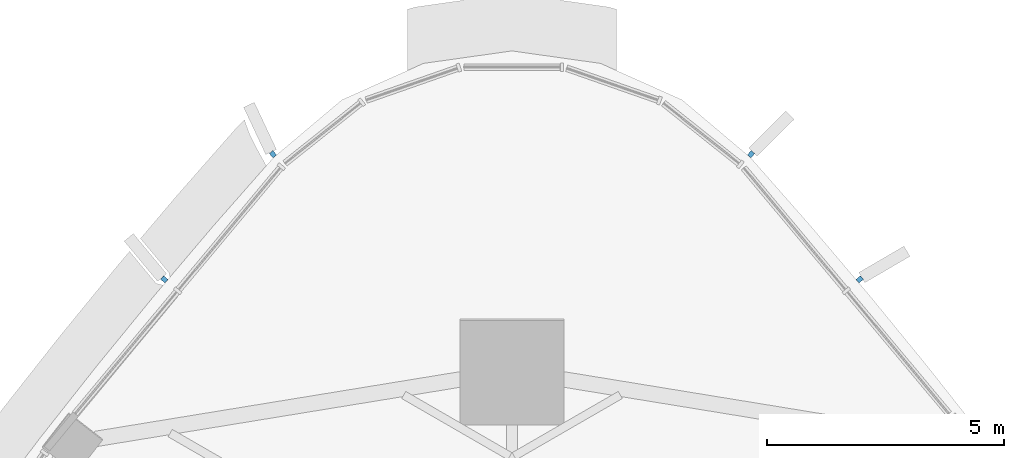
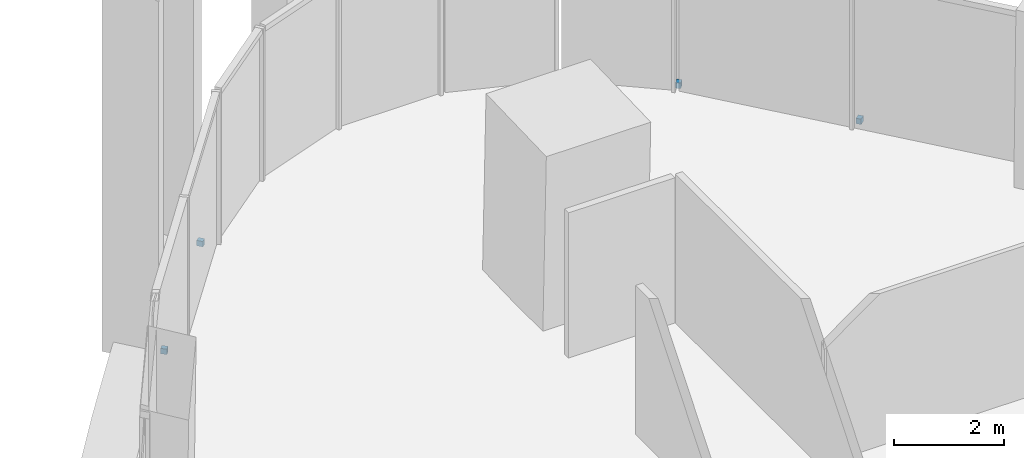
# One storey, part 15 of 19: 4 discrete accessories.
"""IFC4 building model written with IfcOpenShell, lengths in metres."""

from ifc_helpers import new_model, si_unit, direction, frame, origin, origin_2d, place, context, subcontext, project, spatial, rectangle, extrude, material, type_object, element, save


model = new_model("IFC4")

# Units and contexts
model_context = context("Model", 3, precision=1e-05, world=origin(), true_north=direction((0.0, 1.0)))
body_context = subcontext(model_context, "Body", "Model", "MODEL_VIEW")
ifc_project = project(units=[si_unit("LENGTHUNIT", "METRE"), si_unit("AREAUNIT", "SQUARE_METRE"), si_unit("VOLUMEUNIT", "CUBIC_METRE"), si_unit("PLANEANGLEUNIT", "RADIAN"), si_unit("MASSUNIT", "GRAM", prefix="KILO")], contexts=[model_context])

# Site, building, storey
site_placement = place(None, origin())
site = spatial("IfcSite", under=ifc_project, at=site_placement, CompositionType="ELEMENT")
building_placement = place(site_placement, origin())
building = spatial("IfcBuilding", under=site, at=building_placement, Name="Sierra Prisma Convention Tower", CompositionType="ELEMENT")
storey_placement = place(building_placement, frame((0.0, 0.0, 295.0)))
storey = spatial("IfcBuildingStorey", under=building, at=storey_placement, Name="L67", CompositionType="ELEMENT", Elevation=295.0)

# Discrete accessories
ifc_material = material(Name="Stainless steel 316", Category="steel")
discrete_accessory_type = type_object("IfcDiscreteAccessoryType", Name="Fin bracket", PredefinedType="BRACKET", material=ifc_material)
for number, where, z_axis, x_axis, name in (
    (1, (7.3251953125, 25.613525390625, -0.135009765625), (0.0, 0.0, 1.0), (0.762737878348, 0.646707761615, 0.0), "Fin bracket L67.39 base"),
    (2, (5.03564453125, 28.250244140625, -0.135009765625), (0.0, 0.0, 1.0), (0.64459172472, 0.76452698345, 0.0), "Fin bracket L67.40 base"),
    (3, (-5.03564453125, 28.250244140625, -0.135009765625), (0.0, 0.0, 1.0), (-0.64459172472, 0.76452698345, 0.0), "Fin bracket L67.45 base"),
    (4, (-7.3251953125, 25.613525390625, -0.135009765625), (0.0, 0.0, 1.0), (-0.762737878348, 0.646707761615, 0.0), "Fin bracket L67.46 base"),
):
    element("IfcDiscreteAccessory", number, at=place(storey_placement, frame(where, z_axis=z_axis, x_axis=x_axis)), inside=storey, type_object=discrete_accessory_type, Name=name, PredefinedType="BRACKET", context=body_context, shape_type="SweptSolid", body=[
        extrude(rectangle(XDim=0.1201171875, YDim=0.10009765625, at=origin_2d()), origin(), (0.0, 0.0, 1.0), 0.1201171875),
    ])

save(model, "model.ifc")
